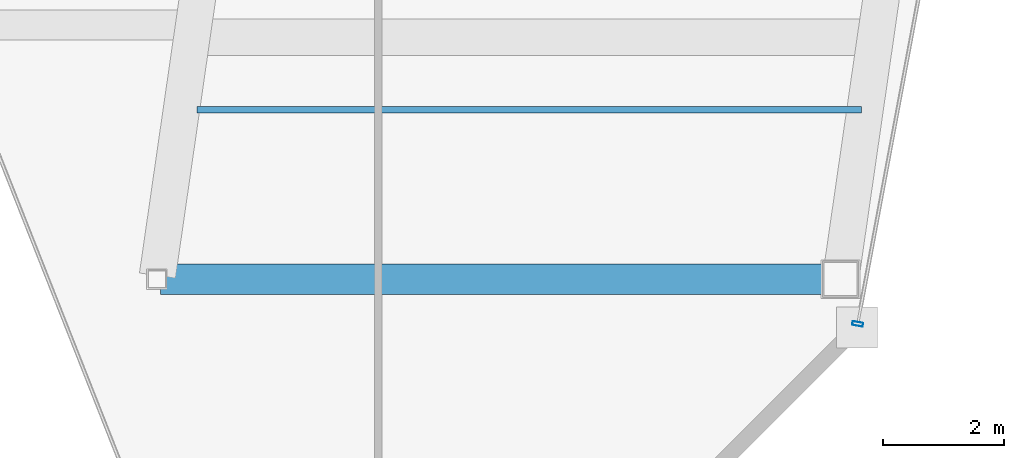
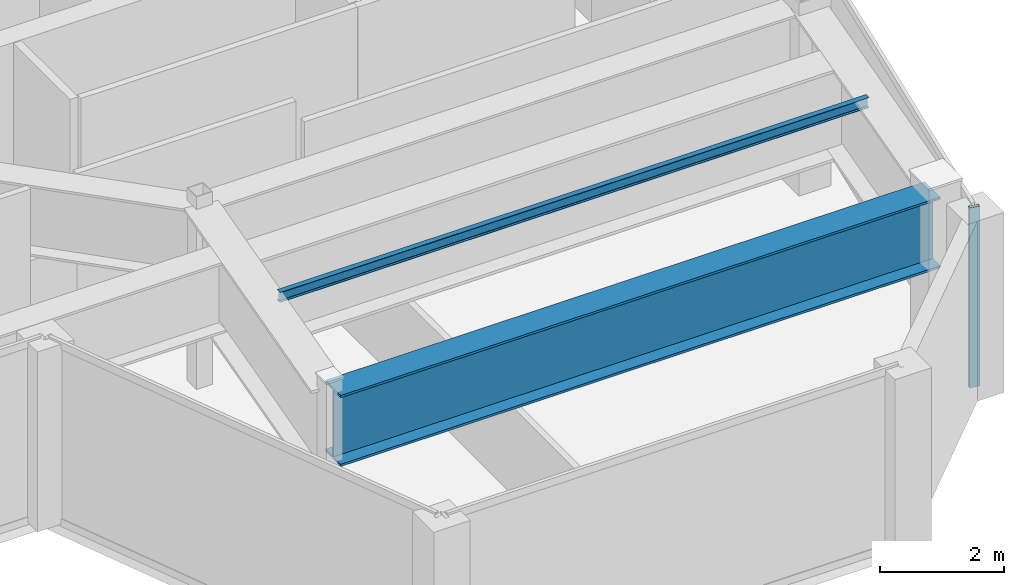
# One storey, part 13 of 23: 2 beams, 1 member, 1 element without a shape of its own.
"""IFC4 building model written with IfcOpenShell, lengths in metres."""

import ifcopenshell
import ifcopenshell.guid

model = None  # the IFC model being written
_history = None  # IfcOwnerHistory: only IFC2X3 demands one
_inside = {}  # id of a spatial element -> (the spatial element, [elements in it])
_under = {}  # id of a project, library or spatial element -> (it, [spatial elements below it])
_declared = {}  # id of a project -> (the project, [libraries it declares])
_typed = {}  # id of a type object -> (the type object, [elements of that type])
_made_of = {}  # id of a material, layer set ... -> (it, [elements and type objects made of it])


def new_model(schema):
    """Start an empty IFC model of exactly this schema.

    Asked for "IFC4X3", IfcOpenShell would pick the latest addendum, in which some entities
    have other attributes; the version numbers below select the first issue.
    IFC2X3 requires an IfcOwnerHistory on every rooted entity: one is made here for all.
    """
    global model, _history
    if schema == "IFC4X3":
        model = ifcopenshell.file(schema_version=(4, 3, 0, 0))
    else:
        model = ifcopenshell.file(schema=schema)
    _inside.clear()
    _under.clear()
    _declared.clear()
    _typed.clear()
    _made_of.clear()
    _history = None
    if model.schema == "IFC2X3":
        org = make("IfcOrganization", Name="unknown")
        user = make(
            "IfcPersonAndOrganization",
            ThePerson=make("IfcPerson", FamilyName="unknown"),
            TheOrganization=org,
        )
        app = make(
            "IfcApplication",
            ApplicationDeveloper=org,
            Version="unknown",
            ApplicationFullName="unknown",
            ApplicationIdentifier="unknown",
        )
        _history = make(
            "IfcOwnerHistory",
            OwningUser=user,
            OwningApplication=app,
            ChangeAction="ADDED",
            CreationDate=0,
        )
    return model


def make(cls, **values):
    """One entity of the class cls with the attributes given. An attribute that is None is left unset."""
    return model.create_entity(
        cls, **{name: value for name, value in values.items() if value is not None}
    )


def rooted(cls, **values):
    """An entity with a GlobalId (a new one), such as an element, a storey or a relation."""
    return make(cls, GlobalId=ifcopenshell.guid.new(), OwnerHistory=_history, **values)


def si_unit(unit_type, name, prefix=None):
    """IfcSIUnit, for example si_unit("LENGTHUNIT", "METRE", prefix="MILLI")."""
    return make("IfcSIUnit", UnitType=unit_type, Prefix=prefix, Name=name)


def assignment(units):
    """IfcUnitAssignment: the units of a project."""
    return None if units is None else make("IfcUnitAssignment", Units=units)


def point(xyz):
    """IfcCartesianPoint."""
    return None if xyz is None else make("IfcCartesianPoint", Coordinates=xyz)


def direction(xyz):
    """IfcDirection."""
    return None if xyz is None else make("IfcDirection", DirectionRatios=xyz)


def frame(location, z_axis=None, x_axis=None):
    """IfcAxis2Placement3D, a coordinate frame: its origin and axes. An axis left out is left unset."""
    return make(
        "IfcAxis2Placement3D",
        Location=point(location),
        Axis=direction(z_axis),
        RefDirection=direction(x_axis),
    )


def frame_2d(location, x_axis=None):
    """IfcAxis2Placement2D, a coordinate frame in the plane: its origin and x axis."""
    return make(
        "IfcAxis2Placement2D", Location=point(location), RefDirection=direction(x_axis)
    )


def origin():
    """The frame at (0, 0, 0) with its axes left unset."""
    return frame((0.0, 0.0, 0.0))


def origin_2d():
    """The frame at (0, 0) in the plane with its x axis left unset."""
    return frame_2d((0.0, 0.0))


def place(relative_to, where):
    """IfcLocalPlacement: puts the frame where relative to a parent placement (None: the world)."""
    return make(
        "IfcLocalPlacement", PlacementRelTo=relative_to, RelativePlacement=where
    )


def context(
    kind, dimensions, precision=None, world=None, true_north=None, identifier=None
):
    """IfcGeometricRepresentationContext, for example the 3D "Model" context."""
    return make(
        "IfcGeometricRepresentationContext",
        ContextIdentifier=identifier,
        ContextType=kind,
        CoordinateSpaceDimension=dimensions,
        Precision=precision,
        WorldCoordinateSystem=world,
        TrueNorth=true_north,
    )


def subcontext(parent, identifier, kind, view, scale=None):
    """IfcGeometricRepresentationSubContext, for example "Body" below "Model"."""
    return make(
        "IfcGeometricRepresentationSubContext",
        ContextIdentifier=identifier,
        ContextType=kind,
        ParentContext=parent,
        TargetScale=scale,
        TargetView=view,
    )


def project(units=None, contexts=None):
    """IfcProject with its units and contexts."""
    return rooted(
        "IfcProject",
        Name="project",
        RepresentationContexts=contexts,
        UnitsInContext=assignment(units),
    )


def spatial(cls, under=None, at=None, **own):
    """A site, building, storey or space (cls), placed at a placement, below another one or the project."""
    s = rooted(cls, ObjectPlacement=at, **own)
    if under is not None:
        _under.setdefault(under.id(), (under, []))[1].append(s)
    return s


def profile(cls, at=None, kind="AREA", **sizes):
    """A parametric profile (cls). Its sizes go by their IFC names, for example OverallWidth=200.0."""
    return make(cls, ProfileType=kind, Position=at, **sizes)


def hollow_rectangle(**sizes):
    """IfcRectangleHollowProfileDef."""
    return profile("IfcRectangleHollowProfileDef", **sizes)


def i_section(**sizes):
    """IfcIShapeProfileDef."""
    return profile("IfcIShapeProfileDef", **sizes)


def extrude(swept, where, along, depth):
    """IfcExtrudedAreaSolid: the profile swept, set in the frame where, extruded along a direction by depth."""
    return make(
        "IfcExtrudedAreaSolid",
        SweptArea=swept,
        Position=where,
        ExtrudedDirection=direction(along),
        Depth=depth,
    )


def shape(context_of_items, identifier, shape_type, items):
    """IfcShapeRepresentation: the items that make up one representation, for example the "Body"."""
    return make(
        "IfcShapeRepresentation",
        ContextOfItems=context_of_items,
        RepresentationIdentifier=identifier,
        RepresentationType=shape_type,
        Items=items,
    )


def material(Name=None, Category=None):
    """IfcMaterial."""
    return make("IfcMaterial", Name=Name, Category=Category)


def material_profile(
    of_material, cross_section, Name=None, Category=None, Priority=None
):
    """IfcMaterialProfile: a cross section and its material."""
    return make(
        "IfcMaterialProfile",
        Name=Name,
        Material=of_material,
        Profile=cross_section,
        Priority=Priority,
        Category=Category,
    )


def profile_set(profiles, Name=None, composite=None):
    """IfcMaterialProfileSet."""
    return make(
        "IfcMaterialProfileSet",
        Name=Name,
        MaterialProfiles=profiles,
        CompositeProfile=composite,
    )


def made_of(thing, what):
    """Note that an element or type object is made of a material, layer set ...; save() writes the relation."""
    if what is not None:
        _made_of.setdefault(what.id(), (what, []))[1].append(thing)
    return thing


def type_object(cls, material=None, **own):
    """A type object (cls), such as IfcWallType, which elements share."""
    return made_of(rooted(cls, **own), material)


def element(
    cls,
    number,
    at=None,
    inside=None,
    cuts=None,
    type_object=None,
    material=None,
    context=None,
    identifier="Body",
    shape_type=None,
    held_by="IfcProductDefinitionShape",
    body=None,
    shapes=None,
    **own,
):
    """One element of the class cls, such as IfcWall. Its Tag is "e" and its number.

    at: its placement. inside: the storey or other place that contains it. cuts: it is an
    opening in that element (IfcRelVoidsElement). A single representation is given by context,
    identifier, shape_type and body (its items); several are given by shapes. held_by: the class
    of the entity that holds the representations. save() writes the other relations.
    """
    e = rooted(cls, Tag="e%d" % number, ObjectPlacement=at, **own)
    if body is not None:
        shapes = [shape(context, identifier, shape_type, body)]
    if shapes is not None:
        e.Representation = make(held_by, Representations=shapes)
    if inside is not None:
        _inside.setdefault(inside.id(), (inside, []))[1].append(e)
    if cuts is not None:
        rooted(
            "IfcRelVoidsElement", RelatingBuildingElement=cuts, RelatedOpeningElement=e
        )
    if type_object is not None:
        _typed.setdefault(type_object.id(), (type_object, []))[1].append(e)
    return made_of(e, material)


def aggregate(whole, parts):
    """IfcRelAggregates: a whole, such as a stair, and the parts it consists of."""
    return rooted("IfcRelAggregates", RelatingObject=whole, RelatedObjects=parts)


def save(model, path):
    """Write the relations noted so far, then the file.

    IfcRelAggregates (storeys below a building ...), IfcRelContainedInSpatialStructure (elements
    in a storey), IfcRelDefinesByType, IfcRelAssociatesMaterial and IfcRelDeclares: one each for
    every whole, place, type object, material and project.
    """
    for whole, parts in _under.values():
        aggregate(whole, parts)
    for where, things in _inside.values():
        rooted(
            "IfcRelContainedInSpatialStructure",
            RelatedElements=things,
            RelatingStructure=where,
        )
    for kind, things in _typed.values():
        rooted("IfcRelDefinesByType", RelatedObjects=things, RelatingType=kind)
    for what, things in _made_of.values():
        rooted("IfcRelAssociatesMaterial", RelatedObjects=things, RelatingMaterial=what)
    for by, libraries in _declared.values():
        rooted("IfcRelDeclares", RelatingContext=by, RelatedDefinitions=libraries)
    model.write(path)


model = new_model("IFC4")

# Units and contexts
model_context = context("Model", 3, precision=1e-05, world=origin(), true_north=direction((0.0, 1.0)))
body_context = subcontext(model_context, "Body", "Model", "MODEL_VIEW")
ifc_project = project(units=[si_unit("LENGTHUNIT", "METRE"), si_unit("AREAUNIT", "SQUARE_METRE"), si_unit("VOLUMEUNIT", "CUBIC_METRE"), si_unit("PLANEANGLEUNIT", "RADIAN"), si_unit("MASSUNIT", "GRAM", prefix="KILO")], contexts=[model_context])

# Site, building, storey
site_placement = place(None, origin())
site = spatial("IfcSite", under=ifc_project, at=site_placement, CompositionType="ELEMENT")
building_placement = place(site_placement, origin())
building = spatial("IfcBuilding", under=site, at=building_placement, Name="Saevonmaru Cultural Tower", CompositionType="ELEMENT")
storey_placement = place(building_placement, frame((0.0, 0.0, 291.39990234375)))
storey = spatial("IfcBuildingStorey", under=building, at=storey_placement, Name="L69", CompositionType="ELEMENT", Elevation=291.39990234375)

# Beams
ifc_material_1 = material(Name="Steel SM355", Category="steel")
ifc_material_profile_1 = material_profile(ifc_material_1, i_section(OverallWidth=0.10009765625, OverallDepth=0.199951171875, WebThickness=0.005615234375, FlangeThickness=0.008056640625, FilletRadius=0.008056640625, at=origin_2d()), Name="H-200x100x5.5x8")
ifc_profile_set_1 = profile_set([ifc_material_profile_1], Name="Steel SM355")
beam_type_1 = type_object("IfcBeamType", Name="BM-J-H200", PredefinedType="JOIST", material=ifc_profile_set_1)
beam_1_placement = place(storey_placement, frame((41.04541015625, 34.800048828125, 3.4501953125), z_axis=(1.0, 0.0, 0.0), x_axis=(0.0, 1.0, 0.0)))
element("IfcBeam", 1, at=beam_1_placement, inside=storey, type_object=beam_type_1, Name="L69 East Wing Floor Joist 1", PredefinedType="JOIST", context=body_context, shape_type="SweptSolid", body=[
    extrude(i_section(OverallWidth=0.10009765625, OverallDepth=0.199951171875, WebThickness=0.005615234375, FlangeThickness=0.008056640625, FilletRadius=0.008056640625, at=origin_2d()), origin(), (0.0, 0.0, 1.0), 10.982177734375),
])
ifc_material_2 = material(Name="Steel HSA600 (600 MPa)", Category="steel")
ifc_material_profile_2 = material_profile(ifc_material_2, i_section(OverallWidth=0.5, OverallDepth=1.39990234375, WebThickness=0.02392578125, FlangeThickness=0.044921875, at=origin_2d()), Name="PG-1400x500x24x45")
ifc_profile_set_2 = profile_set([ifc_material_profile_2], Name="Steel HSA600 (600 MPa)")
beam_type_2 = type_object("IfcBeamType", Name="BM-TG-PG1400", PredefinedType="BEAM", material=ifc_profile_set_2)
beam_2_placement = place(storey_placement, frame((40.443115234375, 32.0, 2.85009765625), z_axis=(1.0, 0.0, 0.0), x_axis=(0.0, 1.0, 0.0)))
element("IfcBeam", 2, at=beam_2_placement, inside=storey, type_object=beam_type_2, Name="L69 East Wing Transverse Girder 1", PredefinedType="BEAM", context=body_context, shape_type="SweptSolid", body=[
    extrude(i_section(OverallWidth=0.5, OverallDepth=1.39990234375, WebThickness=0.02392578125, FlangeThickness=0.044921875, at=origin_2d()), origin(), (0.0, 0.0, 1.0), 11.179931640625),
])

# Curtain wall, member
ifc_material_3 = material(Name="Satin Bronze Anodised Aluminium", Category="aluminium")
curtain_wall_type = type_object("IfcCurtainWallType", Name="CW-TYP-B", PredefinedType="NOTDEFINED", material=ifc_material_3)
curtain_wall_placement = place(storey_placement, origin())
curtain_wall = element("IfcCurtainWall", 3, at=curtain_wall_placement, inside=storey, type_object=curtain_wall_type, Name="L69 Unitised Curtain Wall E8", PredefinedType="NOTDEFINED")
ifc_material_profile_3 = material_profile(ifc_material_3, hollow_rectangle(XDim=0.06494140625, YDim=0.179931640625, WallThickness=0.00390625, at=origin_2d()), Name="ALU-MULL-180x65x4")
ifc_profile_set_3 = profile_set([ifc_material_profile_3], Name="Satin Bronze Anodised Aluminium")
member_type = type_object("IfcMemberType", Name="ML-CW-180x65", PredefinedType="MULLION", material=ifc_profile_set_3)
member_placement = place(storey_placement, frame((51.966552734375, 31.259033203125, 0.0), z_axis=(0.0, 0.0, 1.0), x_axis=(0.184046528232, 0.982917532373, 0.0)))
member = element("IfcMember", 4, at=member_placement, type_object=member_type, Name="CW-TW-L69-E8 mullion 1", PredefinedType="MULLION", context=body_context, shape_type="SweptSolid", body=[
    extrude(hollow_rectangle(XDim=0.06494140625, YDim=0.179931640625, WallThickness=0.00390625, at=origin_2d()), origin(), (0.0, 0.0, 1.0), 3.550048828125),
])
aggregate(curtain_wall, [member])

save(model, "model.ifc")
